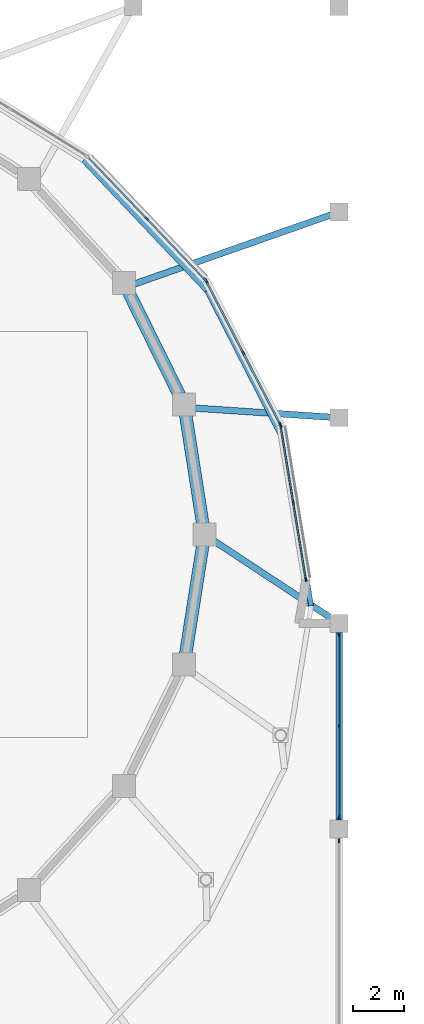
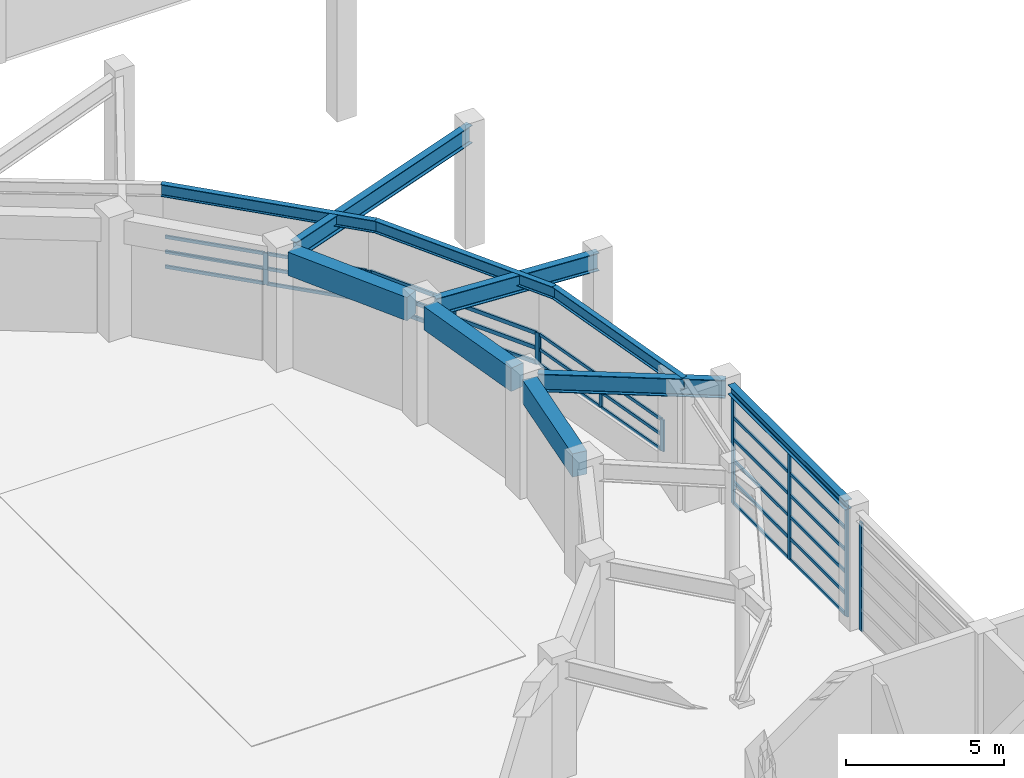
# One storey, part 19 of 56: 42 members, 10 beams, 5 elements without a shape of their own.
"""IFC4 building model written with IfcOpenShell, lengths in metres."""

from ifc_helpers import new_model, si_unit, direction, frame, origin, origin_2d, place, context, subcontext, project, spatial, rectangle, i_section, extrude, material, material_profile, profile_set, type_object, element, aggregate, save


model = new_model("IFC4")

# Units and contexts
model_context = context("Model", 3, precision=1e-05, world=origin(), true_north=direction((0.0, 1.0)))
body_context = subcontext(model_context, "Body", "Model", "MODEL_VIEW")
ifc_project = project(units=[si_unit("LENGTHUNIT", "METRE"), si_unit("AREAUNIT", "SQUARE_METRE"), si_unit("VOLUMEUNIT", "CUBIC_METRE"), si_unit("PLANEANGLEUNIT", "RADIAN"), si_unit("MASSUNIT", "GRAM", prefix="KILO")], contexts=[model_context])

# Site, building, storey
site_placement = place(None, origin())
site = spatial("IfcSite", under=ifc_project, at=site_placement, CompositionType="ELEMENT")
building_placement = place(site_placement, origin())
building = spatial("IfcBuilding", under=site, at=building_placement, Name="Parian Resonance Hall", CompositionType="ELEMENT")
storey_placement = place(building_placement, frame((0.0, 0.0, 5.39990234375)))
storey = spatial("IfcBuildingStorey", under=building, at=storey_placement, Name="L01", CompositionType="ELEMENT", Elevation=5.39990234375)

# Beams
ifc_material_1 = material(Name="Concrete C40/50", Category="concrete")
ifc_material_profile_1 = material_profile(ifc_material_1, rectangle(XDim=0.5, YDim=0.89990234375, at=origin_2d()), Name="RC-BM-500x900")
ifc_profile_set_1 = profile_set([ifc_material_profile_1], Name="Concrete C40/50")
beam_type_1 = type_object("IfcBeamType", Name="BM-RC500x900", PredefinedType="USERDEFINED", material=ifc_profile_set_1)
beam_1_placement = place(storey_placement, frame((67.5380859375, 44.395263671875, 4.080078125), z_axis=(-0.155033793728, 0.987909167283, 0.0), x_axis=(-0.987909167283, -0.155033793728, 0.0)))
element("IfcBeam", 1, at=beam_1_placement, inside=storey, type_object=beam_type_1, Name="Concert hall drum ring beam L01-01", ObjectType="GIRDER", PredefinedType="USERDEFINED", context=body_context, shape_type="SweptSolid", body=[
    extrude(rectangle(XDim=0.5, YDim=0.89990234375, at=origin_2d()), origin(), (0.0, 0.0, 1.0), 4.38720703125),
])
beam_2_placement = place(storey_placement, frame((66.61865234375, 49.4833984375, 4.080078125), z_axis=(-0.442697851544, 0.896670849441, 0.0), x_axis=(-0.896670849441, -0.442697851544, 0.0)))
element("IfcBeam", 2, at=beam_2_placement, inside=storey, type_object=beam_type_1, Name="Concert hall drum ring beam L01-02", ObjectType="GIRDER", PredefinedType="USERDEFINED", context=body_context, shape_type="SweptSolid", body=[
    extrude(rectangle(XDim=0.5, YDim=0.89990234375, at=origin_2d()), origin(), (0.0, 0.0, 1.0), 4.525390625),
])
beam_3_placement = place(storey_placement, frame((66.85791015625, 39.2705078125, 4.080078125), z_axis=(0.155033793728, 0.987909167283, 0.0), x_axis=(-0.987909167283, 0.155033793728, 0.0)))
element("IfcBeam", 3, at=beam_3_placement, inside=storey, type_object=beam_type_1, Name="Concert hall drum ring beam L01-24", ObjectType="GIRDER", PredefinedType="USERDEFINED", context=body_context, shape_type="SweptSolid", body=[
    extrude(rectangle(XDim=0.5, YDim=0.89990234375, at=origin_2d()), origin(), (0.0, 0.0, 1.0), 4.38720703125),
])
ifc_material_2 = material(Name="Steel S355", Category="steel")
ifc_material_profile_2 = material_profile(ifc_material_2, i_section(OverallWidth=0.2548828125, OverallDepth=0.35693359375, WebThickness=0.010498046875, FlangeThickness=0.018310546875, FilletRadius=0.01513671875, at=origin_2d()), Name="W360x101")
ifc_profile_set_2 = profile_set([ifc_material_profile_2], Name="Steel S355")
beam_type_2 = type_object("IfcBeamType", Name="BM-W360x101", PredefinedType="SPANDREL", material=ifc_profile_set_2)
beam_4_placement = place(storey_placement, frame((72.89990234375, 32.75, 4.3515625), z_axis=(0.0, 1.0, 0.0), x_axis=(-1.0, 0.0, 0.0)))
element("IfcBeam", 4, at=beam_4_placement, inside=storey, type_object=beam_type_2, Name="GY-L01-0610", PredefinedType="SPANDREL", context=body_context, shape_type="SweptSolid", body=[
    extrude(i_section(OverallWidth=0.2548828125, OverallDepth=0.35693359375, WebThickness=0.010498046875, FlangeThickness=0.018310546875, FilletRadius=0.01513671875, at=origin_2d()), origin(), (0.0, 0.0, 1.0), 7.39990234375),
])
ifc_material_3 = material(Name="Steel S355", Category="steel")
ifc_material_profile_3 = material_profile(ifc_material_3, i_section(OverallWidth=0.194091796875, OverallDepth=0.468994140625, WebThickness=0.0126953125, FlangeThickness=0.0205078125, FilletRadius=0.01513671875, at=origin_2d()), Name="W460x106")
ifc_profile_set_3 = profile_set([ifc_material_profile_3], Name="Steel S355")
beam_type_3 = type_object("IfcBeamType", Name="BM-W460x106", PredefinedType="SPANDREL", material=ifc_profile_set_3)
beam_5_placement = place(storey_placement, frame((71.800048828125, 41.199951171875, 4.295654296875), z_axis=(-0.160348975304, 0.987060386258, 0.0), x_axis=(-0.987060386258, -0.160348975304, 0.0)))
element("IfcBeam", 5, at=beam_5_placement, inside=storey, type_object=beam_type_3, Name="Elliptical R2 perimeter spandrel beam 01", PredefinedType="SPANDREL", context=body_context, shape_type="SweptSolid", body=[
    extrude(i_section(OverallWidth=0.194091796875, OverallDepth=0.468994140625, WebThickness=0.0126953125, FlangeThickness=0.0205078125, FilletRadius=0.01513671875, at=origin_2d()), origin(), (0.0, 0.0, 1.0), 6.5029296875),
])
beam_6_placement = place(storey_placement, frame((70.75732421875, 47.61865234375, 4.295654296875), z_axis=(-0.455075838645, 0.890452683236, 0.0), x_axis=(-0.890452683236, -0.455075838645, 0.0)))
element("IfcBeam", 6, at=beam_6_placement, inside=storey, type_object=beam_type_3, Name="Elliptical R2 perimeter spandrel beam 02", PredefinedType="SPANDREL", context=body_context, shape_type="SweptSolid", body=[
    extrude(i_section(OverallWidth=0.194091796875, OverallDepth=0.468994140625, WebThickness=0.0126953125, FlangeThickness=0.0205078125, FilletRadius=0.01513671875, at=origin_2d()), origin(), (0.0, 0.0, 1.0), 6.71728515625),
])
beam_7_placement = place(storey_placement, frame((67.700439453125, 53.60009765625, 4.295654296875), z_axis=(-0.687548353371, 0.72613859681, 0.0), x_axis=(-0.72613859681, -0.687548353371, 0.0)))
element("IfcBeam", 7, at=beam_7_placement, inside=storey, type_object=beam_type_3, Name="Elliptical R2 perimeter spandrel beam 03", PredefinedType="SPANDREL", context=body_context, shape_type="SweptSolid", body=[
    extrude(i_section(OverallWidth=0.194091796875, OverallDepth=0.468994140625, WebThickness=0.0126953125, FlangeThickness=0.0205078125, FilletRadius=0.01513671875, at=origin_2d()), origin(), (0.0, 0.0, 1.0), 7.072998046875),
])
ifc_material_4 = material(Name="Steel S355", Category="steel")
ifc_material_profile_4 = material_profile(ifc_material_4, i_section(OverallWidth=0.256103515625, OverallDepth=0.693115234375, WebThickness=0.014404296875, FlangeThickness=0.023681640625, FilletRadius=0.020263671875, at=origin_2d()), Name="W690x170")
ifc_profile_set_4 = profile_set([ifc_material_profile_4], Name="Steel S355")
beam_type_4 = type_object("IfcBeamType", Name="CG2 W690x170", PredefinedType="USERDEFINED", material=ifc_profile_set_4)
beam_8_placement = place(storey_placement, frame((67.932861328125, 43.778076171875, 4.18359375), z_axis=(0.83462260836, -0.550822205085, 0.0), x_axis=(0.550822205085, 0.83462260836, 0.0)))
element("IfcBeam", 8, at=beam_8_placement, inside=storey, type_object=beam_type_4, Name="Radial spine girder R2-01", ObjectType="GIRDER", PredefinedType="USERDEFINED", context=body_context, shape_type="SweptSolid", body=[
    extrude(i_section(OverallWidth=0.256103515625, OverallDepth=0.693115234375, WebThickness=0.014404296875, FlangeThickness=0.023681640625, FilletRadius=0.020263671875, at=origin_2d()), origin(), (0.0, 0.0, 1.0), 5.951171875),
])
beam_9_placement = place(storey_placement, frame((67.169677734375, 48.982421875, 4.18359375), z_axis=(0.997781582462, -0.066572619749, 0.0), x_axis=(0.066572619749, 0.997781582462, 0.0)))
element("IfcBeam", 9, at=beam_9_placement, inside=storey, type_object=beam_type_4, Name="Radial spine girder R2-02", ObjectType="GIRDER", PredefinedType="USERDEFINED", context=body_context, shape_type="SweptSolid", body=[
    extrude(i_section(OverallWidth=0.256103515625, OverallDepth=0.693115234375, WebThickness=0.014404296875, FlangeThickness=0.023681640625, FilletRadius=0.020263671875, at=origin_2d()), origin(), (0.0, 0.0, 1.0), 5.742919921875),
])
beam_10_placement = place(storey_placement, frame((64.83642578125, 53.86328125, 4.18359375), z_axis=(0.943329943044, 0.331856322158, 0.0), x_axis=(-0.331856322158, 0.943329943044, 0.0)))
element("IfcBeam", 10, at=beam_10_placement, inside=storey, type_object=beam_type_4, Name="Radial spine girder R2-03", ObjectType="GIRDER", PredefinedType="USERDEFINED", context=body_context, shape_type="SweptSolid", body=[
    extrude(i_section(OverallWidth=0.256103515625, OverallDepth=0.693115234375, WebThickness=0.014404296875, FlangeThickness=0.023681640625, FilletRadius=0.020263671875, at=origin_2d()), origin(), (0.0, 0.0, 1.0), 8.5478515625),
])

# Curtain wall, members
ifc_material_5 = material(Name="Bronze-anodised aluminium frame", Category="aluminium")
curtain_wall_type_1 = type_object("IfcCurtainWallType", Name="CW-SYS-01", PredefinedType="NOTDEFINED", material=ifc_material_5)
curtain_wall_1_placement = place(storey_placement, origin())
curtain_wall_1 = element("IfcCurtainWall", 11, at=curtain_wall_1_placement, inside=storey, type_object=curtain_wall_type_1, Name="Elliptical R1 recessed strip curtain wall 01", PredefinedType="NOTDEFINED")
ifc_material_6 = material(Name="Bronze-anodised aluminium frame", Category="aluminium")
ifc_material_profile_5 = material_profile(ifc_material_6, rectangle(XDim=0.06494140625, YDim=0.159912109375, at=origin_2d()), Name="CWM-65x160")
ifc_profile_set_5 = profile_set([ifc_material_profile_5], Name="Bronze-anodised aluminium frame")
member_type_1 = type_object("IfcMemberType", Name="CWM-65x160", PredefinedType="MULLION", material=ifc_profile_set_5)
member_1_placement = place(storey_placement, frame((70.603515625, 48.276123046875, 1.14208984375), z_axis=(0.0, 0.0, 1.0), x_axis=(0.986815485171, 0.161849307153, 0.0)))
member_1 = element("IfcMember", 12, at=member_1_placement, type_object=member_type_1, Name="CW-01 mullion 1", PredefinedType="MULLION", context=body_context, shape_type="SweptSolid", body=[
    extrude(rectangle(XDim=0.06494140625, YDim=0.159912109375, at=origin_2d()), origin(), (0.0, 0.0, 1.0), 1.218017578125),
])
member_2_placement = place(storey_placement, frame((71.09912109375, 45.254150390625, 1.14208984375), z_axis=(0.0, 0.0, 1.0), x_axis=(0.986815485171, 0.161849307153, 0.0)))
member_2 = element("IfcMember", 13, at=member_2_placement, type_object=member_type_1, Name="CW-01 mullion 2", PredefinedType="MULLION", context=body_context, shape_type="SweptSolid", body=[
    extrude(rectangle(XDim=0.06494140625, YDim=0.159912109375, at=origin_2d()), origin(), (0.0, 0.0, 1.0), 1.218017578125),
])
member_3_placement = place(storey_placement, frame((71.5947265625, 42.232177734375, 1.14208984375), z_axis=(0.0, 0.0, 1.0), x_axis=(0.986815485171, 0.161849307153, 0.0)))
member_3 = element("IfcMember", 14, at=member_3_placement, type_object=member_type_1, Name="CW-01 mullion 3", PredefinedType="MULLION", context=body_context, shape_type="SweptSolid", body=[
    extrude(rectangle(XDim=0.06494140625, YDim=0.159912109375, at=origin_2d()), origin(), (0.0, 0.0, 1.0), 1.218017578125),
])

ifc_material_7 = material(Name="Bronze-anodised aluminium frame", Category="aluminium")
curtain_wall_type_2 = type_object("IfcCurtainWallType", Name="CW-SYS-03", PredefinedType="NOTDEFINED", material=ifc_material_7)
curtain_wall_2_placement = place(storey_placement, origin())
curtain_wall_2 = element("IfcCurtainWall", 15, at=curtain_wall_2_placement, inside=storey, type_object=curtain_wall_type_2, Name="Elliptical R1 recessed strip curtain wall 03", PredefinedType="NOTDEFINED")
member_4_placement = place(storey_placement, frame((65.324951171875, 56.44384765625, 1.14208984375), z_axis=(0.0, 0.0, 1.0), x_axis=(0.722862800238, 0.69099158608, 0.0)))
member_4 = element("IfcMember", 16, at=member_4_placement, type_object=member_type_1, Name="CW-03 mullion 2", PredefinedType="MULLION", context=body_context, shape_type="SweptSolid", body=[
    extrude(rectangle(XDim=0.06494140625, YDim=0.159912109375, at=origin_2d()), origin(), (0.0, 0.0, 1.0), 1.218017578125),
])
member_5_placement = place(storey_placement, frame((67.638671875, 54.0234375, 1.14208984375), z_axis=(0.0, 0.0, 1.0), x_axis=(0.722862800238, 0.69099158608, 0.0)))
member_5 = element("IfcMember", 17, at=member_5_placement, type_object=member_type_1, Name="CW-03 mullion 3", PredefinedType="MULLION", context=body_context, shape_type="SweptSolid", body=[
    extrude(rectangle(XDim=0.06494140625, YDim=0.159912109375, at=origin_2d()), origin(), (0.0, 0.0, 1.0), 1.218017578125),
])

# Curtain wall, member
ifc_material_8 = material(Name="Bronze-anodised aluminium frame", Category="aluminium")
curtain_wall_type_3 = type_object("IfcCurtainWallType", Name="CW-SYS-04", PredefinedType="NOTDEFINED", material=ifc_material_8)
curtain_wall_3_placement = place(storey_placement, origin())
curtain_wall_3 = element("IfcCurtainWall", 18, at=curtain_wall_3_placement, inside=storey, type_object=curtain_wall_type_3, Name="Curtain wall CW-L01-131", PredefinedType="NOTDEFINED")
member_6_placement = place(storey_placement, frame((72.89990234375, 31.9375, -0.0078125), z_axis=(0.0, 0.0, 1.0), x_axis=(1.0, 0.0, 0.0)))
member_6 = element("IfcMember", 19, at=member_6_placement, type_object=member_type_1, Name="CW-04 mullion 1", PredefinedType="MULLION", context=body_context, shape_type="SweptSolid", body=[
    extrude(rectangle(XDim=0.06494140625, YDim=0.159912109375, at=origin_2d()), origin(), (0.0, 0.0, 1.0), 4.184814453125),
])
aggregate(curtain_wall_3, [member_6])

# Curtain wall, members
ifc_material_9 = material(Name="Bronze-anodised aluminium frame", Category="aluminium")
curtain_wall_type_4 = type_object("IfcCurtainWallType", Name="CW-SYS-05", PredefinedType="NOTDEFINED", material=ifc_material_9)
curtain_wall_4_placement = place(storey_placement, origin())
curtain_wall_4 = element("IfcCurtainWall", 20, at=curtain_wall_4_placement, inside=storey, type_object=curtain_wall_type_4, Name="Curtain wall CW-L01-135", PredefinedType="NOTDEFINED")
member_7_placement = place(storey_placement, frame((72.89990234375, 40.03759765625, -0.0078125), z_axis=(0.0, 0.0, 1.0), x_axis=(1.0, 0.0, 0.0)))
member_7 = element("IfcMember", 21, at=member_7_placement, type_object=member_type_1, Name="CW-05 mullion 1", PredefinedType="MULLION", context=body_context, shape_type="SweptSolid", body=[
    extrude(rectangle(XDim=0.06494140625, YDim=0.159912109375, at=origin_2d()), origin(), (0.0, 0.0, 1.0), 4.184814453125),
])
member_8_placement = place(storey_placement, frame((72.89990234375, 36.449951171875, -0.0078125), z_axis=(0.0, 0.0, 1.0), x_axis=(1.0, 0.0, 0.0)))
member_8 = element("IfcMember", 22, at=member_8_placement, type_object=member_type_1, Name="CW-05 mullion 2", PredefinedType="MULLION", context=body_context, shape_type="SweptSolid", body=[
    extrude(rectangle(XDim=0.06494140625, YDim=0.159912109375, at=origin_2d()), origin(), (0.0, 0.0, 1.0), 4.184814453125),
])
member_9_placement = place(storey_placement, frame((72.89990234375, 32.862548828125, -0.0078125), z_axis=(0.0, 0.0, 1.0), x_axis=(1.0, 0.0, 0.0)))
member_9 = element("IfcMember", 23, at=member_9_placement, type_object=member_type_1, Name="CW-05 mullion 3", PredefinedType="MULLION", context=body_context, shape_type="SweptSolid", body=[
    extrude(rectangle(XDim=0.06494140625, YDim=0.159912109375, at=origin_2d()), origin(), (0.0, 0.0, 1.0), 4.184814453125),
])

ifc_material_10 = material(Name="Bronze-anodised aluminium frame", Category="aluminium")
curtain_wall_type_5 = type_object("IfcCurtainWallType", Name="CW-SYS-02", PredefinedType="NOTDEFINED", material=ifc_material_10)
curtain_wall_5_placement = place(storey_placement, origin())
curtain_wall_5 = element("IfcCurtainWall", 24, at=curtain_wall_5_placement, inside=storey, type_object=curtain_wall_type_5, Name="Elliptical R1 recessed strip curtain wall 02", PredefinedType="NOTDEFINED")
ifc_material_11 = material(Name="Bronze-anodised aluminium frame", Category="aluminium")
ifc_material_profile_6 = material_profile(ifc_material_11, rectangle(XDim=0.074951171875, YDim=0.199951171875, at=origin_2d()), Name="CWM-75x200")
ifc_profile_set_6 = profile_set([ifc_material_profile_6], Name="Bronze-anodised aluminium frame")
member_type_2 = type_object("IfcMemberType", Name="CWM-75x200", PredefinedType="MULLION", material=ifc_profile_set_6)
member_10_placement = place(storey_placement, frame((67.67822265625, 53.966796875, 1.14208984375), z_axis=(0.0, 0.0, 1.0), x_axis=(0.888662321607, 0.458562185702, 0.0)))
member_10 = element("IfcMember", 25, at=member_10_placement, type_object=member_type_2, Name="CW-02 mullion 1", PredefinedType="MULLION", context=body_context, shape_type="SweptSolid", body=[
    extrude(rectangle(XDim=0.074951171875, YDim=0.199951171875, at=origin_2d()), origin(), (0.0, 0.0, 1.0), 1.218017578125),
])
member_11_placement = place(storey_placement, frame((69.129638671875, 51.154052734375, 1.14208984375), z_axis=(0.0, 0.0, 1.0), x_axis=(0.888662321607, 0.458562185702, 0.0)))
member_11 = element("IfcMember", 26, at=member_11_placement, type_object=member_type_2, Name="CW-02 mullion 2", PredefinedType="MULLION", context=body_context, shape_type="SweptSolid", body=[
    extrude(rectangle(XDim=0.074951171875, YDim=0.199951171875, at=origin_2d()), origin(), (0.0, 0.0, 1.0), 1.218017578125),
])
member_12_placement = place(storey_placement, frame((70.5810546875, 48.34130859375, 1.14208984375), z_axis=(0.0, 0.0, 1.0), x_axis=(0.888662321607, 0.458562185702, 0.0)))
member_12 = element("IfcMember", 27, at=member_12_placement, type_object=member_type_2, Name="CW-02 mullion 3", PredefinedType="MULLION", context=body_context, shape_type="SweptSolid", body=[
    extrude(rectangle(XDim=0.074951171875, YDim=0.199951171875, at=origin_2d()), origin(), (0.0, 0.0, 1.0), 1.218017578125),
])

# Member
ifc_material_12 = material(Name="Bronze-anodised aluminium frame", Category="aluminium")
ifc_material_profile_7 = material_profile(ifc_material_12, rectangle(XDim=0.06494140625, YDim=0.1201171875, at=origin_2d()), Name="CWT-65x120")
ifc_profile_set_7 = profile_set([ifc_material_profile_7], Name="Bronze-anodised aluminium frame")
member_type_3 = type_object("IfcMemberType", Name="CWT-65x120", PredefinedType="USERDEFINED", material=ifc_profile_set_7)
member_13_placement = place(storey_placement, frame((70.608642578125, 48.243896484375, 1.174560546875), z_axis=(0.161849147428, -0.986815511368, 0.0), x_axis=(0.986815511368, 0.161849147428, 0.0)))
member_13 = element("IfcMember", 28, at=member_13_placement, type_object=member_type_3, Name="CW-01 transom 1.1", ObjectType="TRANSOM", PredefinedType="USERDEFINED", context=body_context, shape_type="SweptSolid", body=[
    extrude(rectangle(XDim=0.06494140625, YDim=0.1201171875, at=origin_2d()), origin(), (0.0, 0.0, 1.0), 2.997314453125),
])

member_14_placement = place(storey_placement, frame((70.608642578125, 48.243896484375, 1.75), z_axis=(0.161849147428, -0.986815511368, 0.0), x_axis=(0.986815511368, 0.161849147428, 0.0)))
member_14 = element("IfcMember", 29, at=member_14_placement, type_object=member_type_3, Name="CW-01 transom 1.2", ObjectType="TRANSOM", PredefinedType="USERDEFINED", context=body_context, shape_type="SweptSolid", body=[
    extrude(rectangle(XDim=0.06494140625, YDim=0.1201171875, at=origin_2d()), origin(), (0.0, 0.0, 1.0), 2.997314453125),
])

member_15_placement = place(storey_placement, frame((70.608642578125, 48.243896484375, 2.32763671875), z_axis=(0.161849147428, -0.986815511368, 0.0), x_axis=(0.986815511368, 0.161849147428, 0.0)))
member_15 = element("IfcMember", 30, at=member_15_placement, type_object=member_type_3, Name="CW-01 transom 1.3", ObjectType="TRANSOM", PredefinedType="USERDEFINED", context=body_context, shape_type="SweptSolid", body=[
    extrude(rectangle(XDim=0.06494140625, YDim=0.1201171875, at=origin_2d()), origin(), (0.0, 0.0, 1.0), 2.997314453125),
])

member_16_placement = place(storey_placement, frame((71.104248046875, 45.221923828125, 1.174560546875), z_axis=(0.161928466184, -0.986802498902, 0.0), x_axis=(0.986802498902, 0.161928466184, 0.0)))
member_16 = element("IfcMember", 31, at=member_16_placement, type_object=member_type_3, Name="CW-01 transom 2.1", ObjectType="TRANSOM", PredefinedType="USERDEFINED", context=body_context, shape_type="SweptSolid", body=[
    extrude(rectangle(XDim=0.06494140625, YDim=0.1201171875, at=origin_2d()), origin(), (0.0, 0.0, 1.0), 2.997314453125),
])

member_17_placement = place(storey_placement, frame((71.104248046875, 45.221923828125, 1.75), z_axis=(0.161928466184, -0.986802498902, 0.0), x_axis=(0.986802498902, 0.161928466184, 0.0)))
member_17 = element("IfcMember", 32, at=member_17_placement, type_object=member_type_3, Name="CW-01 transom 2.2", ObjectType="TRANSOM", PredefinedType="USERDEFINED", context=body_context, shape_type="SweptSolid", body=[
    extrude(rectangle(XDim=0.06494140625, YDim=0.1201171875, at=origin_2d()), origin(), (0.0, 0.0, 1.0), 2.997314453125),
])

member_18_placement = place(storey_placement, frame((71.104248046875, 45.221923828125, 2.32763671875), z_axis=(0.161928466184, -0.986802498902, 0.0), x_axis=(0.986802498902, 0.161928466184, 0.0)))
member_18 = element("IfcMember", 33, at=member_18_placement, type_object=member_type_3, Name="CW-01 transom 2.3", ObjectType="TRANSOM", PredefinedType="USERDEFINED", context=body_context, shape_type="SweptSolid", body=[
    extrude(rectangle(XDim=0.06494140625, YDim=0.1201171875, at=origin_2d()), origin(), (0.0, 0.0, 1.0), 2.997314453125),
])

aggregate(curtain_wall_1, [member_1, member_2, member_3, member_13, member_14, member_15, member_16, member_17, member_18])

member_19_placement = place(storey_placement, frame((63.033935546875, 58.8408203125, 1.174560546875), z_axis=(0.690938958815, -0.722913103486, 0.0), x_axis=(0.722913103486, 0.690938958815, 0.0)))
member_19 = element("IfcMember", 34, at=member_19_placement, type_object=member_type_3, Name="CW-03 transom 1.1", ObjectType="TRANSOM", PredefinedType="USERDEFINED", context=body_context, shape_type="SweptSolid", body=[
    extrude(rectangle(XDim=0.06494140625, YDim=0.1201171875, at=origin_2d()), origin(), (0.0, 0.0, 1.0), 3.283203125),
])

member_20_placement = place(storey_placement, frame((63.033935546875, 58.8408203125, 1.75), z_axis=(0.690938958815, -0.722913103486, 0.0), x_axis=(0.722913103486, 0.690938958815, 0.0)))
member_20 = element("IfcMember", 35, at=member_20_placement, type_object=member_type_3, Name="CW-03 transom 1.2", ObjectType="TRANSOM", PredefinedType="USERDEFINED", context=body_context, shape_type="SweptSolid", body=[
    extrude(rectangle(XDim=0.06494140625, YDim=0.1201171875, at=origin_2d()), origin(), (0.0, 0.0, 1.0), 3.283203125),
])

member_21_placement = place(storey_placement, frame((63.033935546875, 58.8408203125, 2.32763671875), z_axis=(0.690938958815, -0.722913103486, 0.0), x_axis=(0.722913103486, 0.690938958815, 0.0)))
member_21 = element("IfcMember", 36, at=member_21_placement, type_object=member_type_3, Name="CW-03 transom 1.3", ObjectType="TRANSOM", PredefinedType="USERDEFINED", context=body_context, shape_type="SweptSolid", body=[
    extrude(rectangle(XDim=0.06494140625, YDim=0.1201171875, at=origin_2d()), origin(), (0.0, 0.0, 1.0), 3.283203125),
])

member_22_placement = place(storey_placement, frame((65.347412109375, 56.42041015625, 1.174560546875), z_axis=(0.690977815809, -0.722875963122, 0.0), x_axis=(0.722875963122, 0.690977815809, 0.0)))
member_22 = element("IfcMember", 37, at=member_22_placement, type_object=member_type_3, Name="CW-03 transom 2.1", ObjectType="TRANSOM", PredefinedType="USERDEFINED", context=body_context, shape_type="SweptSolid", body=[
    extrude(rectangle(XDim=0.06494140625, YDim=0.1201171875, at=origin_2d()), origin(), (0.0, 0.0, 1.0), 3.283447265625),
])

member_23_placement = place(storey_placement, frame((65.347412109375, 56.42041015625, 1.75), z_axis=(0.690977815809, -0.722875963122, 0.0), x_axis=(0.722875963122, 0.690977815809, 0.0)))
member_23 = element("IfcMember", 38, at=member_23_placement, type_object=member_type_3, Name="CW-03 transom 2.2", ObjectType="TRANSOM", PredefinedType="USERDEFINED", context=body_context, shape_type="SweptSolid", body=[
    extrude(rectangle(XDim=0.06494140625, YDim=0.1201171875, at=origin_2d()), origin(), (0.0, 0.0, 1.0), 3.283447265625),
])

member_24_placement = place(storey_placement, frame((65.347412109375, 56.42041015625, 2.32763671875), z_axis=(0.690977815809, -0.722875963122, 0.0), x_axis=(0.722875963122, 0.690977815809, 0.0)))
member_24 = element("IfcMember", 39, at=member_24_placement, type_object=member_type_3, Name="CW-03 transom 2.3", ObjectType="TRANSOM", PredefinedType="USERDEFINED", context=body_context, shape_type="SweptSolid", body=[
    extrude(rectangle(XDim=0.06494140625, YDim=0.1201171875, at=origin_2d()), origin(), (0.0, 0.0, 1.0), 3.283447265625),
])

aggregate(curtain_wall_2, [member_4, member_5, member_19, member_20, member_21, member_22, member_23, member_24])

member_25_placement = place(storey_placement, frame((72.89990234375, 40.0048828125, 0.024658203125), z_axis=(0.0, -1.0, 0.0), x_axis=(1.0, 0.0, 0.0)))
member_25 = element("IfcMember", 40, at=member_25_placement, type_object=member_type_3, Name="CW-05 transom 1.1", ObjectType="TRANSOM", PredefinedType="USERDEFINED", context=body_context, shape_type="SweptSolid", body=[
    extrude(rectangle(XDim=0.06494140625, YDim=0.1201171875, at=origin_2d()), origin(), (0.0, 0.0, 1.0), 3.5224609375),
])

member_26_placement = place(storey_placement, frame((72.89990234375, 40.0048828125, 0.83349609375), z_axis=(0.0, -1.0, 0.0), x_axis=(1.0, 0.0, 0.0)))
member_26 = element("IfcMember", 41, at=member_26_placement, type_object=member_type_3, Name="CW-05 transom 1.2", ObjectType="TRANSOM", PredefinedType="USERDEFINED", context=body_context, shape_type="SweptSolid", body=[
    extrude(rectangle(XDim=0.06494140625, YDim=0.1201171875, at=origin_2d()), origin(), (0.0, 0.0, 1.0), 3.5224609375),
])

member_27_placement = place(storey_placement, frame((72.89990234375, 40.0048828125, 1.6669921875), z_axis=(0.0, -1.0, 0.0), x_axis=(1.0, 0.0, 0.0)))
member_27 = element("IfcMember", 42, at=member_27_placement, type_object=member_type_3, Name="CW-05 transom 1.3", ObjectType="TRANSOM", PredefinedType="USERDEFINED", context=body_context, shape_type="SweptSolid", body=[
    extrude(rectangle(XDim=0.06494140625, YDim=0.1201171875, at=origin_2d()), origin(), (0.0, 0.0, 1.0), 3.5224609375),
])

member_28_placement = place(storey_placement, frame((72.89990234375, 40.0048828125, 2.500244140625), z_axis=(0.0, -1.0, 0.0), x_axis=(1.0, 0.0, 0.0)))
member_28 = element("IfcMember", 43, at=member_28_placement, type_object=member_type_3, Name="CW-05 transom 1.4", ObjectType="TRANSOM", PredefinedType="USERDEFINED", context=body_context, shape_type="SweptSolid", body=[
    extrude(rectangle(XDim=0.06494140625, YDim=0.1201171875, at=origin_2d()), origin(), (0.0, 0.0, 1.0), 3.5224609375),
])

member_29_placement = place(storey_placement, frame((72.89990234375, 40.0048828125, 3.333740234375), z_axis=(0.0, -1.0, 0.0), x_axis=(1.0, 0.0, 0.0)))
member_29 = element("IfcMember", 44, at=member_29_placement, type_object=member_type_3, Name="CW-05 transom 1.5", ObjectType="TRANSOM", PredefinedType="USERDEFINED", context=body_context, shape_type="SweptSolid", body=[
    extrude(rectangle(XDim=0.06494140625, YDim=0.1201171875, at=origin_2d()), origin(), (0.0, 0.0, 1.0), 3.5224609375),
])

member_30_placement = place(storey_placement, frame((72.89990234375, 40.0048828125, 4.14453125), z_axis=(0.0, -1.0, 0.0), x_axis=(1.0, 0.0, 0.0)))
member_30 = element("IfcMember", 45, at=member_30_placement, type_object=member_type_3, Name="CW-05 transom 1.6", ObjectType="TRANSOM", PredefinedType="USERDEFINED", context=body_context, shape_type="SweptSolid", body=[
    extrude(rectangle(XDim=0.06494140625, YDim=0.1201171875, at=origin_2d()), origin(), (0.0, 0.0, 1.0), 3.5224609375),
])

member_31_placement = place(storey_placement, frame((72.89990234375, 36.41748046875, 0.024658203125), z_axis=(0.0, -1.0, 0.0), x_axis=(1.0, 0.0, 0.0)))
member_31 = element("IfcMember", 46, at=member_31_placement, type_object=member_type_3, Name="CW-05 transom 2.1", ObjectType="TRANSOM", PredefinedType="USERDEFINED", context=body_context, shape_type="SweptSolid", body=[
    extrude(rectangle(XDim=0.06494140625, YDim=0.1201171875, at=origin_2d()), origin(), (0.0, 0.0, 1.0), 3.5224609375),
])

member_32_placement = place(storey_placement, frame((72.89990234375, 36.41748046875, 0.83349609375), z_axis=(0.0, -1.0, 0.0), x_axis=(1.0, 0.0, 0.0)))
member_32 = element("IfcMember", 47, at=member_32_placement, type_object=member_type_3, Name="CW-05 transom 2.2", ObjectType="TRANSOM", PredefinedType="USERDEFINED", context=body_context, shape_type="SweptSolid", body=[
    extrude(rectangle(XDim=0.06494140625, YDim=0.1201171875, at=origin_2d()), origin(), (0.0, 0.0, 1.0), 3.5224609375),
])

member_33_placement = place(storey_placement, frame((72.89990234375, 36.41748046875, 1.6669921875), z_axis=(0.0, -1.0, 0.0), x_axis=(1.0, 0.0, 0.0)))
member_33 = element("IfcMember", 48, at=member_33_placement, type_object=member_type_3, Name="CW-05 transom 2.3", ObjectType="TRANSOM", PredefinedType="USERDEFINED", context=body_context, shape_type="SweptSolid", body=[
    extrude(rectangle(XDim=0.06494140625, YDim=0.1201171875, at=origin_2d()), origin(), (0.0, 0.0, 1.0), 3.5224609375),
])

member_34_placement = place(storey_placement, frame((72.89990234375, 36.41748046875, 2.500244140625), z_axis=(0.0, -1.0, 0.0), x_axis=(1.0, 0.0, 0.0)))
member_34 = element("IfcMember", 49, at=member_34_placement, type_object=member_type_3, Name="CW-05 transom 2.4", ObjectType="TRANSOM", PredefinedType="USERDEFINED", context=body_context, shape_type="SweptSolid", body=[
    extrude(rectangle(XDim=0.06494140625, YDim=0.1201171875, at=origin_2d()), origin(), (0.0, 0.0, 1.0), 3.5224609375),
])

member_35_placement = place(storey_placement, frame((72.89990234375, 36.41748046875, 3.333740234375), z_axis=(0.0, -1.0, 0.0), x_axis=(1.0, 0.0, 0.0)))
member_35 = element("IfcMember", 50, at=member_35_placement, type_object=member_type_3, Name="CW-05 transom 2.5", ObjectType="TRANSOM", PredefinedType="USERDEFINED", context=body_context, shape_type="SweptSolid", body=[
    extrude(rectangle(XDim=0.06494140625, YDim=0.1201171875, at=origin_2d()), origin(), (0.0, 0.0, 1.0), 3.5224609375),
])

member_36_placement = place(storey_placement, frame((72.89990234375, 36.41748046875, 4.14453125), z_axis=(0.0, -1.0, 0.0), x_axis=(1.0, 0.0, 0.0)))
member_36 = element("IfcMember", 51, at=member_36_placement, type_object=member_type_3, Name="CW-05 transom 2.6", ObjectType="TRANSOM", PredefinedType="USERDEFINED", context=body_context, shape_type="SweptSolid", body=[
    extrude(rectangle(XDim=0.06494140625, YDim=0.1201171875, at=origin_2d()), origin(), (0.0, 0.0, 1.0), 3.5224609375),
])

aggregate(curtain_wall_4, [member_7, member_8, member_9, member_25, member_26, member_27, member_28, member_29, member_30, member_31, member_32, member_33, member_34, member_35, member_36])

ifc_material_13 = material(Name="Bronze-anodised aluminium frame", Category="aluminium")
ifc_material_profile_8 = material_profile(ifc_material_13, rectangle(XDim=0.074951171875, YDim=0.14990234375, at=origin_2d()), Name="CWT-75x150")
ifc_profile_set_8 = profile_set([ifc_material_profile_8], Name="Bronze-anodised aluminium frame")
member_type_4 = type_object("IfcMemberType", Name="CWT-75x150", PredefinedType="USERDEFINED", material=ifc_profile_set_8)
member_37_placement = place(storey_placement, frame((67.695556640625, 53.933349609375, 1.1796875), z_axis=(0.458554367767, -0.888666355727, 0.0), x_axis=(0.888666355727, 0.458554367767, 0.0)))
member_37 = element("IfcMember", 52, at=member_37_placement, type_object=member_type_4, Name="CW-02 transom 1.1", ObjectType="TRANSOM", PredefinedType="USERDEFINED", context=body_context, shape_type="SweptSolid", body=[
    extrude(rectangle(XDim=0.074951171875, YDim=0.14990234375, at=origin_2d()), origin(), (0.0, 0.0, 1.0), 3.090087890625),
])

member_38_placement = place(storey_placement, frame((67.695556640625, 53.933349609375, 1.75), z_axis=(0.458554367767, -0.888666355727, 0.0), x_axis=(0.888666355727, 0.458554367767, 0.0)))
member_38 = element("IfcMember", 53, at=member_38_placement, type_object=member_type_4, Name="CW-02 transom 1.2", ObjectType="TRANSOM", PredefinedType="USERDEFINED", context=body_context, shape_type="SweptSolid", body=[
    extrude(rectangle(XDim=0.074951171875, YDim=0.14990234375, at=origin_2d()), origin(), (0.0, 0.0, 1.0), 3.090087890625),
])

member_39_placement = place(storey_placement, frame((67.695556640625, 53.933349609375, 2.322509765625), z_axis=(0.458554367767, -0.888666355727, 0.0), x_axis=(0.888666355727, 0.458554367767, 0.0)))
member_39 = element("IfcMember", 54, at=member_39_placement, type_object=member_type_4, Name="CW-02 transom 1.3", ObjectType="TRANSOM", PredefinedType="USERDEFINED", context=body_context, shape_type="SweptSolid", body=[
    extrude(rectangle(XDim=0.074951171875, YDim=0.14990234375, at=origin_2d()), origin(), (0.0, 0.0, 1.0), 3.090087890625),
])

member_40_placement = place(storey_placement, frame((69.146728515625, 51.12060546875, 1.1796875), z_axis=(0.458586565066, -0.888649741091, 0.0), x_axis=(0.888649741091, 0.458586565066, 0.0)))
member_40 = element("IfcMember", 55, at=member_40_placement, type_object=member_type_4, Name="CW-02 transom 2.1", ObjectType="TRANSOM", PredefinedType="USERDEFINED", context=body_context, shape_type="SweptSolid", body=[
    extrude(rectangle(XDim=0.074951171875, YDim=0.14990234375, at=origin_2d()), origin(), (0.0, 0.0, 1.0), 3.08984375),
])

member_41_placement = place(storey_placement, frame((69.146728515625, 51.12060546875, 1.75), z_axis=(0.458586565066, -0.888649741091, 0.0), x_axis=(0.888649741091, 0.458586565066, 0.0)))
member_41 = element("IfcMember", 56, at=member_41_placement, type_object=member_type_4, Name="CW-02 transom 2.2", ObjectType="TRANSOM", PredefinedType="USERDEFINED", context=body_context, shape_type="SweptSolid", body=[
    extrude(rectangle(XDim=0.074951171875, YDim=0.14990234375, at=origin_2d()), origin(), (0.0, 0.0, 1.0), 3.08984375),
])

member_42_placement = place(storey_placement, frame((69.146728515625, 51.12060546875, 2.322509765625), z_axis=(0.458586565066, -0.888649741091, 0.0), x_axis=(0.888649741091, 0.458586565066, 0.0)))
member_42 = element("IfcMember", 57, at=member_42_placement, type_object=member_type_4, Name="CW-02 transom 2.3", ObjectType="TRANSOM", PredefinedType="USERDEFINED", context=body_context, shape_type="SweptSolid", body=[
    extrude(rectangle(XDim=0.074951171875, YDim=0.14990234375, at=origin_2d()), origin(), (0.0, 0.0, 1.0), 3.08984375),
])

aggregate(curtain_wall_5, [member_10, member_11, member_12, member_37, member_38, member_39, member_40, member_41, member_42])

save(model, "model.ifc")
